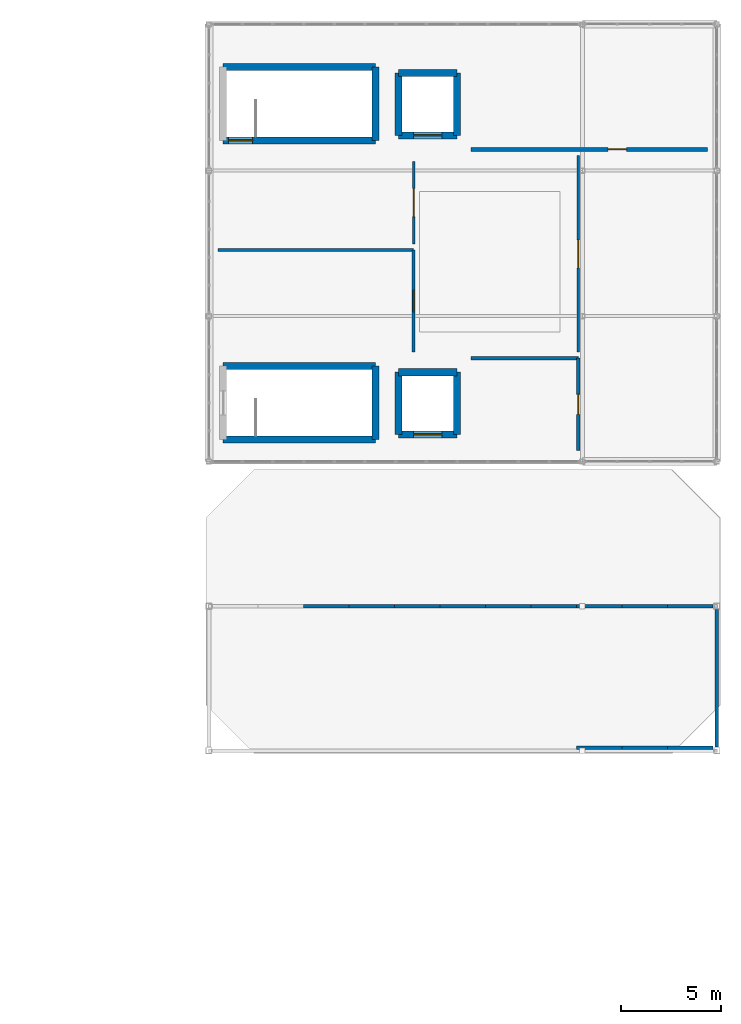
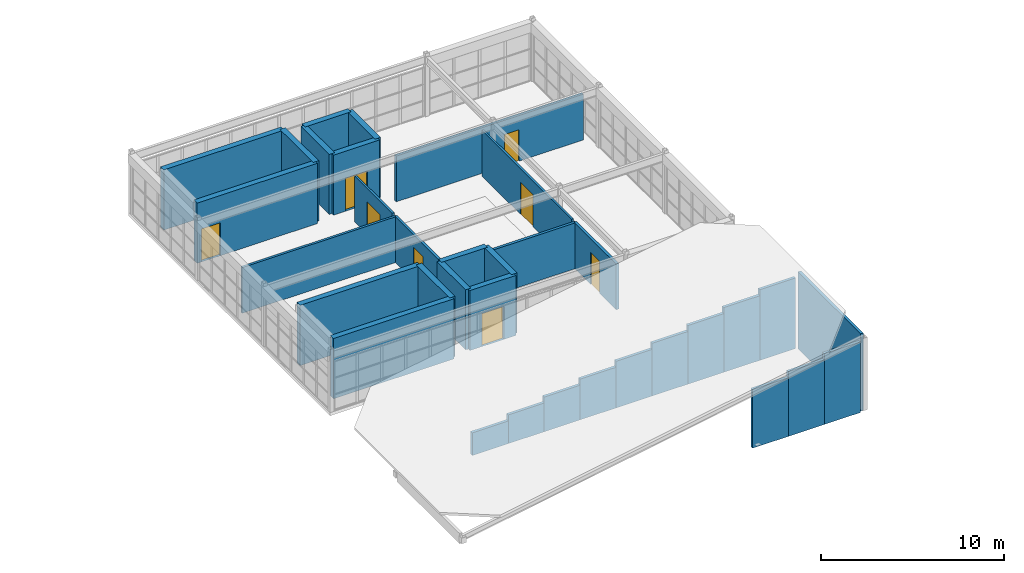
# One storey, part 18 of 19: 34 walls, 8 doors, 8 openings.
"""IFC4 building model written with IfcOpenShell, lengths in metres."""

from ifc_helpers import new_model, si_unit, direction, frame, frame_2d, origin, place, context, subcontext, project, spatial, rectangle, extrude, material, layer, layer_set, type_object, element, fill, save


model = new_model("IFC4")

# Units and contexts
model_context = context("Model", 3, precision=1e-05, world=origin(), true_north=direction((0.0, 1.0)))
body_context = subcontext(model_context, "Body", "Model", "MODEL_VIEW")
ifc_project = project(units=[si_unit("LENGTHUNIT", "METRE"), si_unit("AREAUNIT", "SQUARE_METRE"), si_unit("VOLUMEUNIT", "CUBIC_METRE"), si_unit("PLANEANGLEUNIT", "RADIAN"), si_unit("MASSUNIT", "GRAM", prefix="KILO")], contexts=[model_context])

# Site, building, storey
site_placement = place(None, origin())
site = spatial("IfcSite", under=ifc_project, at=site_placement, CompositionType="ELEMENT")
building_placement = place(site_placement, origin())
building = spatial("IfcBuilding", under=site, at=building_placement, Name="Candilejo Ridge Gondola Terminal", CompositionType="ELEMENT")
storey_placement = place(building_placement, frame((0.0, 0.0, 22.800048828125)))
storey = spatial("IfcBuildingStorey", under=building, at=storey_placement, Name="L05", CompositionType="ELEMENT", Elevation=22.800048828125)

# Walls
ifc_material_1 = material(Name="Concrete f'c 35 MPa (C35/45)", Category="concrete")
ifc_layer_1 = layer(ifc_material_1, 0.179931640625)
ifc_layer_set_1 = layer_set([ifc_layer_1], Name="ARC-PARAPET-WALL-180")
wall_type_1 = type_object("IfcWallType", Name="ARC-PARAPET-WALL-180", PredefinedType="PARAPET", material=ifc_layer_set_1)
wall_1_placement = place(storey_placement, frame((175.300048828125, 84.830078125, -0.2099609375), z_axis=(0.0, 0.0, 1.0), x_axis=(0.0, 1.0, 0.0)))
element("IfcWall", 1, at=wall_1_placement, inside=storey, type_object=wall_type_1, Name="Roof perimeter gable/spandrel wall L05-139", PredefinedType="PARAPET", context=body_context, shape_type="SweptSolid", body=[
    extrude(rectangle(XDim=6.83984375, YDim=0.179931640625, at=frame_2d((3.419921875, 0.0))), origin(), (0.0, 0.0, 1.0), 5.14453125),
])
wall_2_placement = place(storey_placement, frame((168.318115234375, 84.800048828125, -0.2099609375), z_axis=(0.0, 0.0, 1.0), x_axis=(1.0, 0.0, 0.0)))
element("IfcWall", 2, at=wall_2_placement, inside=storey, type_object=wall_type_1, Name="Roof perimeter gable/spandrel wall L05-140", PredefinedType="PARAPET", context=body_context, shape_type="SweptSolid", body=[
    extrude(rectangle(XDim=2.267333984375, YDim=0.179931640625, at=frame_2d((1.1337890625, 0.0))), origin(), (0.0, 0.0, 1.0), 3.91357421875),
])
wall_3_placement = place(storey_placement, frame((170.58544921875, 84.800048828125, -0.2099609375), z_axis=(0.0, 0.0, 1.0), x_axis=(1.0, 0.0, 0.0)))
element("IfcWall", 3, at=wall_3_placement, inside=storey, type_object=wall_type_1, Name="Roof perimeter gable/spandrel wall L05-141", PredefinedType="PARAPET", context=body_context, shape_type="SweptSolid", body=[
    extrude(rectangle(XDim=2.267333984375, YDim=0.179931640625, at=frame_2d((1.1337890625, 0.0))), origin(), (0.0, 0.0, 1.0), 4.313232421875),
])
wall_4_placement = place(storey_placement, frame((172.852783203125, 84.800048828125, -0.2099609375), z_axis=(0.0, 0.0, 1.0), x_axis=(1.0, 0.0, 0.0)))
element("IfcWall", 4, at=wall_4_placement, inside=storey, type_object=wall_type_1, Name="Roof perimeter gable/spandrel wall L05-142", PredefinedType="PARAPET", context=body_context, shape_type="SweptSolid", body=[
    extrude(rectangle(XDim=2.267333984375, YDim=0.179931640625, at=frame_2d((1.1337890625, 0.0))), origin(), (0.0, 0.0, 1.0), 4.713134765625),
])
wall_5_placement = place(storey_placement, frame((154.714599609375, 91.85009765625, -0.2099609375), z_axis=(0.0, 0.0, 1.0), x_axis=(1.0, 0.0, 0.0)))
element("IfcWall", 5, at=wall_5_placement, inside=storey, type_object=wall_type_1, Name="Roof perimeter gable/spandrel wall L05-145", PredefinedType="PARAPET", context=body_context, shape_type="SweptSolid", body=[
    extrude(rectangle(XDim=2.26708984375, YDim=0.179931640625, at=frame_2d((1.133544921875, 0.0))), origin(), (0.0, 0.0, 1.0), 1.514892578125),
])
wall_6_placement = place(storey_placement, frame((156.981689453125, 91.85009765625, -0.2099609375), z_axis=(0.0, 0.0, 1.0), x_axis=(1.0, 0.0, 0.0)))
element("IfcWall", 6, at=wall_6_placement, inside=storey, type_object=wall_type_1, Name="Roof perimeter gable/spandrel wall L05-146", PredefinedType="PARAPET", context=body_context, shape_type="SweptSolid", body=[
    extrude(rectangle(XDim=2.267333984375, YDim=0.179931640625, at=frame_2d((1.1337890625, 0.0))), origin(), (0.0, 0.0, 1.0), 1.914794921875),
])
wall_7_placement = place(storey_placement, frame((159.2490234375, 91.85009765625, -0.2099609375), z_axis=(0.0, 0.0, 1.0), x_axis=(1.0, 0.0, 0.0)))
element("IfcWall", 7, at=wall_7_placement, inside=storey, type_object=wall_type_1, Name="Roof perimeter gable/spandrel wall L05-147", PredefinedType="PARAPET", context=body_context, shape_type="SweptSolid", body=[
    extrude(rectangle(XDim=2.267333984375, YDim=0.179931640625, at=frame_2d((1.1337890625, 0.0))), origin(), (0.0, 0.0, 1.0), 2.314453125),
])
wall_8_placement = place(storey_placement, frame((161.516357421875, 91.85009765625, -0.2099609375), z_axis=(0.0, 0.0, 1.0), x_axis=(1.0, 0.0, 0.0)))
element("IfcWall", 8, at=wall_8_placement, inside=storey, type_object=wall_type_1, Name="Roof perimeter gable/spandrel wall L05-148", PredefinedType="PARAPET", context=body_context, shape_type="SweptSolid", body=[
    extrude(rectangle(XDim=2.267333984375, YDim=0.179931640625, at=frame_2d((1.1337890625, 0.0))), origin(), (0.0, 0.0, 1.0), 2.714111328125),
])
wall_9_placement = place(storey_placement, frame((163.78369140625, 91.85009765625, -0.2099609375), z_axis=(0.0, 0.0, 1.0), x_axis=(1.0, 0.0, 0.0)))
element("IfcWall", 9, at=wall_9_placement, inside=storey, type_object=wall_type_1, Name="Roof perimeter gable/spandrel wall L05-149", PredefinedType="PARAPET", context=body_context, shape_type="SweptSolid", body=[
    extrude(rectangle(XDim=2.26708984375, YDim=0.179931640625, at=frame_2d((1.133544921875, 0.0))), origin(), (0.0, 0.0, 1.0), 3.114013671875),
])
wall_10_placement = place(storey_placement, frame((166.05078125, 91.85009765625, -0.2099609375), z_axis=(0.0, 0.0, 1.0), x_axis=(1.0, 0.0, 0.0)))
element("IfcWall", 10, at=wall_10_placement, inside=storey, type_object=wall_type_1, Name="Roof perimeter gable/spandrel wall L05-150", PredefinedType="PARAPET", context=body_context, shape_type="SweptSolid", body=[
    extrude(rectangle(XDim=2.267333984375, YDim=0.179931640625, at=frame_2d((1.1337890625, 0.0))), origin(), (0.0, 0.0, 1.0), 3.513916015625),
])
wall_11_placement = place(storey_placement, frame((168.318115234375, 91.85009765625, -0.2099609375), z_axis=(0.0, 0.0, 1.0), x_axis=(1.0, 0.0, 0.0)))
element("IfcWall", 11, at=wall_11_placement, inside=storey, type_object=wall_type_1, Name="Roof perimeter gable/spandrel wall L05-151", PredefinedType="PARAPET", context=body_context, shape_type="SweptSolid", body=[
    extrude(rectangle(XDim=2.267333984375, YDim=0.179931640625, at=frame_2d((1.1337890625, 0.0))), origin(), (0.0, 0.0, 1.0), 3.91357421875),
])
wall_12_placement = place(storey_placement, frame((170.58544921875, 91.85009765625, -0.2099609375), z_axis=(0.0, 0.0, 1.0), x_axis=(1.0, 0.0, 0.0)))
element("IfcWall", 12, at=wall_12_placement, inside=storey, type_object=wall_type_1, Name="Roof perimeter gable/spandrel wall L05-152", PredefinedType="PARAPET", context=body_context, shape_type="SweptSolid", body=[
    extrude(rectangle(XDim=2.267333984375, YDim=0.179931640625, at=frame_2d((1.1337890625, 0.0))), origin(), (0.0, 0.0, 1.0), 4.313232421875),
])
wall_13_placement = place(storey_placement, frame((172.852783203125, 91.85009765625, -0.2099609375), z_axis=(0.0, 0.0, 1.0), x_axis=(1.0, 0.0, 0.0)))
element("IfcWall", 13, at=wall_13_placement, inside=storey, type_object=wall_type_1, Name="Roof perimeter gable/spandrel wall L05-153", PredefinedType="PARAPET", context=body_context, shape_type="SweptSolid", body=[
    extrude(rectangle(XDim=2.267333984375, YDim=0.179931640625, at=frame_2d((1.1337890625, 0.0))), origin(), (0.0, 0.0, 1.0), 4.713134765625),
])

# Wall, opening, door
ifc_material_2 = material(Name="Gypsum board Type X acoustic partition (2x15.9 mm)", Category="gypsum")
ifc_layer_2 = layer(ifc_material_2, 0.135009765625)
ifc_layer_set_2 = layer_set([ifc_layer_2], Name="ARC-PART-GYP135")
wall_type_2 = type_object("IfcWallType", Name="ARC-PART-GYP135", PredefinedType="PARTITIONING", material=ifc_layer_set_2)
wall_14_placement = place(storey_placement, frame((168.39990234375, 104.5, 0.0), z_axis=(0.0, 0.0, 1.0), x_axis=(0.0, 1.0, 0.0)))
wall_14 = element("IfcWall", 14, at=wall_14_placement, inside=storey, type_object=wall_type_2, Name="Interior partition PT-V5-L05-0141", PredefinedType="PARTITIONING", context=body_context, shape_type="SweptSolid", body=[
    extrude(rectangle(XDim=9.800048828125, YDim=0.135009765625, at=frame_2d((4.89990234375, 0.0))), origin(), (0.0, 0.0, 1.0), 3.050048828125),
])
opening_1_placement = place(wall_14_placement, frame((4.199951171875, 0.0, 0.0)))
opening_1 = element("IfcOpeningElement", 15, at=opening_1_placement, cuts=wall_14, Name="Opening ID-03C", PredefinedType="OPENING", context=body_context, shape_type="SweptSolid", body=[
    extrude(rectangle(XDim=1.39990234375, YDim=2.14990234375, at=frame_2d((0.699951171875, 1.074951171875))), frame((0.0, 0.077392578125, 0.0), z_axis=(0.0, -1.0, 0.0), x_axis=(1.0, 0.0, 0.0)), (0.0, 0.0, 1.0), 0.155029296875),
])
ifc_material_3 = material(Name="Solid-core fire-rated hardwood door leaf", Category="wood")
door_type_1 = type_object("IfcDoorType", Name="ARC-DOOR-DBL-1400", OperationType="NOTDEFINED", PredefinedType="DOOR", material=ifc_material_3)
door_1_placement = place(opening_1_placement, origin())
door_1 = element("IfcDoor", 16, at=door_1_placement, inside=storey, type_object=door_type_1, Name="Interior door IDR-0078 (502)", OperationType="DOUBLE_DOOR_SINGLE_SWING", OverallHeight=2.14990234375, OverallWidth=1.39990234375, PredefinedType="DOOR", context=body_context, shape_type="SweptSolid", body=[
    extrude(rectangle(XDim=1.39990234375, YDim=2.14990234375, at=frame_2d((0.699951171875, 1.074951171875))), frame((0.0, 0.02490234375, 0.0), z_axis=(0.0, -1.0, 0.0), x_axis=(1.0, 0.0, 0.0)), (0.0, 0.0, 1.0), 0.050048828125),
])
fill(opening_1, door_1)

wall_15_placement = place(storey_placement, frame((160.199951171875, 109.89990234375, 0.0), z_axis=(0.0, 0.0, 1.0), x_axis=(0.0, 1.0, 0.0)))
wall_15 = element("IfcWall", 17, at=wall_15_placement, inside=storey, type_object=wall_type_2, Name="Interior partition PT-V5-L05-0142", PredefinedType="PARTITIONING", context=body_context, shape_type="SweptSolid", body=[
    extrude(rectangle(XDim=4.10009765625, YDim=0.135009765625, at=frame_2d((2.050048828125, 0.0))), origin(), (0.0, 0.0, 1.0), 3.050048828125),
])
opening_2_placement = place(wall_15_placement, frame((1.35009765625, 0.0, 0.0)))
opening_2 = element("IfcOpeningElement", 18, at=opening_2_placement, cuts=wall_15, Name="Opening ID-03C", PredefinedType="OPENING", context=body_context, shape_type="SweptSolid", body=[
    extrude(rectangle(XDim=1.39990234375, YDim=2.14990234375, at=frame_2d((0.699951171875, 1.074951171875))), frame((0.0, 0.077392578125, 0.0), z_axis=(0.0, -1.0, 0.0), x_axis=(1.0, 0.0, 0.0)), (0.0, 0.0, 1.0), 0.155029296875),
])
door_2_placement = place(opening_2_placement, origin())
door_2 = element("IfcDoor", 19, at=door_2_placement, inside=storey, type_object=door_type_1, Name="Interior door IDR-0079 (503)", OperationType="DOUBLE_DOOR_SINGLE_SWING", OverallHeight=2.14990234375, OverallWidth=1.39990234375, PredefinedType="DOOR", context=body_context, shape_type="SweptSolid", body=[
    extrude(rectangle(XDim=1.39990234375, YDim=2.14990234375, at=frame_2d((0.699951171875, 1.074951171875))), frame((0.0, 0.02490234375, 0.0), z_axis=(0.0, -1.0, 0.0), x_axis=(1.0, 0.0, 0.0)), (0.0, 0.0, 1.0), 0.050048828125),
])
fill(opening_2, door_2)

ifc_material_4 = material(Name="Gypsum board Type X acoustic partition (2x15.9 mm)", Category="gypsum")
ifc_layer_3 = layer(ifc_material_4, 0.14990234375)
ifc_layer_set_3 = layer_set([ifc_layer_3], Name="ARC-PART-GYP150-EI60")
wall_type_3 = type_object("IfcWallType", Name="ARC-PART-GYP150-EI60", PredefinedType="PARTITIONING", material=ifc_layer_set_3)
wall_16_placement = place(storey_placement, frame((160.199951171875, 104.5, 0.0), z_axis=(0.0, 0.0, 1.0), x_axis=(0.0, 1.0, 0.0)))
wall_16 = element("IfcWall", 20, at=wall_16_placement, inside=storey, type_object=wall_type_3, Name="Interior partition PT-V5-L05-0139", PredefinedType="PARTITIONING", context=body_context, shape_type="SweptSolid", body=[
    extrude(rectangle(XDim=5.10009765625, YDim=0.14990234375, at=frame_2d((2.550048828125, 0.0))), origin(), (0.0, 0.0, 1.0), 3.050048828125),
])
opening_3_placement = place(wall_16_placement, frame((2.02490234375, 0.0, 0.0)))
opening_3 = element("IfcOpeningElement", 21, at=opening_3_placement, cuts=wall_16, Name="Opening ID-01A", PredefinedType="OPENING", context=body_context, shape_type="SweptSolid", body=[
    extrude(rectangle(XDim=1.050048828125, YDim=2.199951171875, at=frame_2d((0.52490234375, 1.10009765625))), frame((0.0, 0.0849609375, 0.0), z_axis=(0.0, -1.0, 0.0), x_axis=(1.0, 0.0, 0.0)), (0.0, 0.0, 1.0), 0.169921875),
])
ifc_material_5 = material(Name="Solid-core fire-rated hardwood door leaf", Category="wood")
door_type_2 = type_object("IfcDoorType", Name="ARC-DOOR-INT-1050", OperationType="NOTDEFINED", PredefinedType="DOOR", material=ifc_material_5)
door_3_placement = place(opening_3_placement, origin())
door_3 = element("IfcDoor", 22, at=door_3_placement, inside=storey, type_object=door_type_2, Name="Interior door IDR-0077 (501)", OperationType="SINGLE_SWING_LEFT", OverallHeight=2.199951171875, OverallWidth=1.050048828125, PredefinedType="DOOR", context=body_context, shape_type="SweptSolid", body=[
    extrude(rectangle(XDim=1.050048828125, YDim=2.199951171875, at=frame_2d((0.52490234375, 1.10009765625))), frame((0.0, 0.02490234375, 0.0), z_axis=(0.0, -1.0, 0.0), x_axis=(1.0, 0.0, 0.0)), (0.0, 0.0, 1.0), 0.050048828125),
])
fill(opening_3, door_3)

# Wall
wall_17_placement = place(storey_placement, frame((150.449951171875, 109.60009765625, 0.0), z_axis=(0.0, 0.0, 1.0), x_axis=(1.0, 0.0, 0.0)))
element("IfcWall", 23, at=wall_17_placement, inside=storey, type_object=wall_type_3, Name="Interior partition PT-V5-L05-0140", PredefinedType="PARTITIONING", context=body_context, shape_type="SweptSolid", body=[
    extrude(rectangle(XDim=9.75, YDim=0.14990234375, at=frame_2d((4.875, 0.0))), origin(), (0.0, 0.0, 1.0), 3.050048828125),
])

# Wall, opening, door
ifc_material_6 = material(Name="Concrete C20/25 masonry blockwork (f'm 14 MPa)", Category="masonry")
ifc_layer_4 = layer(ifc_material_6, 0.169921875)
ifc_layer_set_4 = layer_set([ifc_layer_4], Name="ARC-WALL-CMU170-EI90")
wall_type_4 = type_object("IfcWallType", Name="ARC-WALL-CMU170-EI90", PredefinedType="SOLIDWALL", material=ifc_layer_set_4)
wall_18_placement = place(storey_placement, frame((168.39990234375, 99.60009765625, 0.0), z_axis=(0.0, 0.0, 1.0), x_axis=(0.0, 1.0, 0.0)))
wall_18 = element("IfcWall", 24, at=wall_18_placement, inside=storey, type_object=wall_type_4, Name="Interior partition PT-V5-L05-0143", PredefinedType="SOLIDWALL", context=body_context, shape_type="SweptSolid", body=[
    extrude(rectangle(XDim=4.599853515625, YDim=0.169921875, at=frame_2d((2.2998046875, 0.0))), origin(), (0.0, 0.0, 1.0), 3.050048828125),
])
opening_4_placement = place(wall_18_placement, frame((1.800048828125, 0.0, 0.0)))
opening_4 = element("IfcOpeningElement", 25, at=opening_4_placement, cuts=wall_18, Name="Opening FD-02", PredefinedType="OPENING", context=body_context, shape_type="SweptSolid", body=[
    extrude(rectangle(XDim=1.0, YDim=2.14990234375, at=frame_2d((0.5, 1.074951171875))), frame((0.0, 0.094970703125, 0.0), z_axis=(0.0, -1.0, 0.0), x_axis=(1.0, 0.0, 0.0)), (0.0, 0.0, 1.0), 0.18994140625),
])
ifc_material_7 = material(Name="Steel ASTM A653 Grade 33 hollow-metal door", Category="steel")
door_type_3 = type_object("IfcDoorType", Name="ARC-DOOR-FD60-1000", OperationType="NOTDEFINED", PredefinedType="DOOR", material=ifc_material_7)
door_4_placement = place(opening_4_placement, origin())
door_4 = element("IfcDoor", 26, at=door_4_placement, inside=storey, type_object=door_type_3, Name="Interior door IDR-0080 (505)", OperationType="SINGLE_SWING_RIGHT", OverallHeight=2.14990234375, OverallWidth=1.0, PredefinedType="DOOR", context=body_context, shape_type="SweptSolid", body=[
    extrude(rectangle(XDim=1.0, YDim=2.14990234375, at=frame_2d((0.5, 1.074951171875))), frame((0.0, 0.02490234375, 0.0), z_axis=(0.0, -1.0, 0.0), x_axis=(1.0, 0.0, 0.0)), (0.0, 0.0, 1.0), 0.050048828125),
])
fill(opening_4, door_4)

# Wall
wall_19_placement = place(storey_placement, frame((163.050048828125, 104.199951171875, 0.0), z_axis=(0.0, 0.0, 1.0), x_axis=(1.0, 0.0, 0.0)))
element("IfcWall", 27, at=wall_19_placement, inside=storey, type_object=wall_type_4, Name="Interior partition PT-V5-L05-0144", PredefinedType="SOLIDWALL", context=body_context, shape_type="SweptSolid", body=[
    extrude(rectangle(XDim=5.349853515625, YDim=0.169921875, at=frame_2d((2.6748046875, 0.0))), origin(), (0.0, 0.0, 1.0), 3.050048828125),
])

# Wall, opening, door
ifc_material_8 = material(Name="Concrete C20/25 masonry blockwork (f'm 14 MPa)", Category="masonry")
ifc_layer_5 = layer(ifc_material_8, 0.179931640625)
ifc_layer_set_5 = layer_set([ifc_layer_5], Name="ARC-WALL-PLUMBING-180")
wall_type_5 = type_object("IfcWallType", Name="ARC-WALL-PLUMBING-180", PredefinedType="PLUMBINGWALL", material=ifc_layer_set_5)
wall_20_placement = place(storey_placement, frame((163.050048828125, 114.60009765625, 0.0), z_axis=(0.0, 0.0, 1.0), x_axis=(1.0, 0.0, 0.0)))
wall_20 = element("IfcWall", 28, at=wall_20_placement, inside=storey, type_object=wall_type_5, Name="Interior partition PT-V5-L05-0145", PredefinedType="PLUMBINGWALL", context=body_context, shape_type="SweptSolid", body=[
    extrude(rectangle(XDim=11.800048828125, YDim=0.179931640625, at=frame_2d((5.89990234375, 0.0))), origin(), (0.0, 0.0, 1.0), 3.050048828125),
])
opening_5_placement = place(wall_20_placement, frame((6.840087890625, 0.0, 0.0)))
opening_5 = element("IfcOpeningElement", 29, at=opening_5_placement, cuts=wall_20, Name="Opening ID-04A", PredefinedType="OPENING", context=body_context, shape_type="SweptSolid", body=[
    extrude(rectangle(XDim=0.919921875, YDim=2.10009765625, at=frame_2d((0.4599609375, 1.050048828125))), frame((0.0, 0.099853515625, 0.0), z_axis=(0.0, -1.0, 0.0), x_axis=(1.0, 0.0, 0.0)), (0.0, 0.0, 1.0), 0.199951171875),
])
ifc_material_9 = material(Name="Solid-core fire-rated hardwood door leaf", Category="wood")
door_type_4 = type_object("IfcDoorType", Name="ARC-DOOR-WC-0920", OperationType="NOTDEFINED", PredefinedType="DOOR", material=ifc_material_9)
door_5_placement = place(opening_5_placement, origin())
door_5 = element("IfcDoor", 30, at=door_5_placement, inside=storey, type_object=door_type_4, Name="Interior door IDR-0081 (506)", OperationType="SINGLE_SWING_LEFT", OverallHeight=2.10009765625, OverallWidth=0.919921875, PredefinedType="DOOR", context=body_context, shape_type="SweptSolid", body=[
    extrude(rectangle(XDim=0.919921875, YDim=2.10009765625, at=frame_2d((0.4599609375, 1.050048828125))), frame((0.0, 0.02490234375, 0.0), z_axis=(0.0, -1.0, 0.0), x_axis=(1.0, 0.0, 0.0)), (0.0, 0.0, 1.0), 0.050048828125),
])
fill(opening_5, door_5)

# Walls
ifc_material_10 = material(Name="Concrete f'c 35 MPa (C35/45)", Category="concrete")
ifc_layer_6 = layer(ifc_material_10, 0.35009765625)
ifc_layer_set_6 = layer_set([ifc_layer_6], Name="STR-CORE-WALL-350")
wall_type_6 = type_object("IfcWallType", Name="STR-CORE-WALL-350", PredefinedType="SHEAR", material=ifc_layer_set_6)
for number, where, z_axis, x_axis, name in (
    (31, (150.699951171875, 100.14990234375, 0.0), (0.0, 0.0, 1.0), (1.0, 0.0, 0.0), "Core stair shear wall SW-C-V5A-L05-ST-S"),
    (32, (158.300048828125, 103.800048828125, 0.0), (0.0, 0.0, 1.0), (-1.0, 0.0, 0.0), "Core stair shear wall SW-C-V5A-L05-ST-N"),
):
    element("IfcWall", number, at=place(storey_placement, frame(where, z_axis=z_axis, x_axis=x_axis)), inside=storey, type_object=wall_type_6, Name=name, PredefinedType="SHEAR", context=body_context, shape_type="SweptSolid", body=[
        extrude(rectangle(XDim=7.60009765625, YDim=0.35009765625, at=frame_2d((3.800048828125, 0.0))), origin(), (0.0, 0.0, 1.0), 4.02001953125),
    ])
wall_21_placement = place(storey_placement, frame((158.300048828125, 100.14990234375, 0.0), z_axis=(0.0, 0.0, 1.0), x_axis=(0.0, 1.0, 0.0)))
element("IfcWall", 33, at=wall_21_placement, inside=storey, type_object=wall_type_6, Name="Core stair shear wall SW-C-V5A-L05-ST-E", PredefinedType="SHEAR", context=body_context, shape_type="SweptSolid", body=[
    extrude(rectangle(XDim=3.650146484375, YDim=0.35009765625, at=frame_2d((1.8251953125, 0.0))), origin(), (0.0, 0.0, 1.0), 4.02001953125),
])

# Wall, opening, door
wall_22_placement = place(storey_placement, frame((159.449951171875, 100.39990234375, 0.0), z_axis=(0.0, 0.0, 1.0), x_axis=(1.0, 0.0, 0.0)))
wall_22 = element("IfcWall", 34, at=wall_22_placement, inside=storey, type_object=wall_type_6, Name="Lift shaft shear wall SW-C-V5A-L05-LF-S", PredefinedType="SHEAR", context=body_context, shape_type="SweptSolid", body=[
    extrude(rectangle(XDim=2.900146484375, YDim=0.35009765625, at=frame_2d((1.4501953125, 0.0))), origin(), (0.0, 0.0, 1.0), 4.0048828125),
])
opening_6_placement = place(wall_22_placement, frame((0.75, 0.0, 0.0)))
opening_6 = element("IfcOpeningElement", 35, at=opening_6_placement, cuts=wall_22, Name="Opening LD-02", PredefinedType="OPENING", context=body_context, shape_type="SweptSolid", body=[
    extrude(rectangle(XDim=1.39990234375, YDim=2.199951171875, at=frame_2d((0.699951171875, 1.10009765625))), frame((0.0, 0.18505859375, 0.0), z_axis=(0.0, -1.0, 0.0), x_axis=(1.0, 0.0, 0.0)), (0.0, 0.0, 1.0), 0.3701171875),
])
ifc_material_11 = material(Name="Brushed stainless steel AISI 316", Category="steel")
door_type_5 = type_object("IfcDoorType", Name="ARC-LIFT-DOOR-1400", OperationType="NOTDEFINED", PredefinedType="DOOR", material=ifc_material_11)
door_6_placement = place(opening_6_placement, origin())
door_6 = element("IfcDoor", 36, at=door_6_placement, inside=storey, type_object=door_type_5, Name="Elevator landing door LDR-037", OperationType="SLIDING_TO_LEFT", OverallHeight=2.199951171875, OverallWidth=1.39990234375, PredefinedType="DOOR", context=body_context, shape_type="SweptSolid", body=[
    extrude(rectangle(XDim=1.39990234375, YDim=2.199951171875, at=frame_2d((0.699951171875, 1.10009765625))), frame((0.0, 0.02490234375, 0.0), z_axis=(0.0, -1.0, 0.0), x_axis=(1.0, 0.0, 0.0)), (0.0, 0.0, 1.0), 0.050048828125),
])
fill(opening_6, door_6)

# Walls
wall_23_placement = place(storey_placement, frame((159.449951171875, 103.5, 0.0), z_axis=(0.0, 0.0, 1.0), x_axis=(1.0, 0.0, 0.0)))
element("IfcWall", 37, at=wall_23_placement, inside=storey, type_object=wall_type_6, Name="Lift shaft shear wall SW-C-V5A-L05-LF-N", PredefinedType="SHEAR", context=body_context, shape_type="SweptSolid", body=[
    extrude(rectangle(XDim=2.900146484375, YDim=0.35009765625, at=frame_2d((1.4501953125, 0.0))), origin(), (0.0, 0.0, 1.0), 4.0048828125),
])
for number, where, z_axis, x_axis, name in (
    (38, (159.449951171875, 100.39990234375, 0.0), (0.0, 0.0, 1.0), (0.0, 1.0, 0.0), "Lift shaft shear wall SW-C-V5A-L05-LF-W"),
    (39, (162.35009765625, 100.39990234375, 0.0), (0.0, 0.0, 1.0), (0.0, 1.0, 0.0), "Lift shaft shear wall SW-C-V5A-L05-LF-E"),
):
    element("IfcWall", number, at=place(storey_placement, frame(where, z_axis=z_axis, x_axis=x_axis)), inside=storey, type_object=wall_type_6, Name=name, PredefinedType="SHEAR", context=body_context, shape_type="SweptSolid", body=[
        extrude(rectangle(XDim=3.10009765625, YDim=0.35009765625, at=frame_2d((1.550048828125, 0.0))), origin(), (0.0, 0.0, 1.0), 4.0048828125),
    ])

# Wall, opening, door
wall_24_placement = place(storey_placement, frame((150.699951171875, 115.050048828125, 0.0), z_axis=(0.0, 0.0, 1.0), x_axis=(1.0, 0.0, 0.0)))
wall_24 = element("IfcWall", 40, at=wall_24_placement, inside=storey, type_object=wall_type_6, Name="Core stair shear wall SW-C-V5B-L05-ST-S", PredefinedType="SHEAR", context=body_context, shape_type="SweptSolid", body=[
    extrude(rectangle(XDim=7.60009765625, YDim=0.35009765625, at=frame_2d((3.800048828125, 0.0))), origin(), (0.0, 0.0, 1.0), 4.02001953125),
])
opening_7_placement = place(wall_24_placement, frame((0.280029296875, 0.0, 0.0)))
opening_7 = element("IfcOpeningElement", 41, at=opening_7_placement, cuts=wall_24, Name="Opening FD-01", PredefinedType="OPENING", context=body_context, shape_type="SweptSolid", body=[
    extrude(rectangle(XDim=1.199951171875, YDim=2.199951171875, at=frame_2d((0.60009765625, 1.10009765625))), frame((0.0, 0.18505859375, 0.0), z_axis=(0.0, -1.0, 0.0), x_axis=(1.0, 0.0, 0.0)), (0.0, 0.0, 1.0), 0.3701171875),
])
ifc_material_12 = material(Name="Steel ASTM A653 Grade 33 hollow-metal door", Category="steel")
door_type_6 = type_object("IfcDoorType", Name="ARC-DOOR-FD90-1200", OperationType="NOTDEFINED", PredefinedType="DOOR", material=ifc_material_12)
door_7_placement = place(opening_7_placement, origin())
door_7 = element("IfcDoor", 42, at=door_7_placement, inside=storey, type_object=door_type_6, Name="Fire stair door SDR-042", OperationType="SINGLE_SWING_RIGHT", OverallHeight=2.199951171875, OverallWidth=1.199951171875, PredefinedType="DOOR", context=body_context, shape_type="SweptSolid", body=[
    extrude(rectangle(XDim=1.199951171875, YDim=2.199951171875, at=frame_2d((0.60009765625, 1.10009765625))), frame((0.0, 0.02490234375, 0.0), z_axis=(0.0, -1.0, 0.0), x_axis=(1.0, 0.0, 0.0)), (0.0, 0.0, 1.0), 0.050048828125),
])
fill(opening_7, door_7)

# Walls
wall_25_placement = place(storey_placement, frame((158.300048828125, 118.699951171875, 0.0), z_axis=(0.0, 0.0, 1.0), x_axis=(-1.0, 0.0, 0.0)))
element("IfcWall", 43, at=wall_25_placement, inside=storey, type_object=wall_type_6, Name="Core stair shear wall SW-C-V5B-L05-ST-N", PredefinedType="SHEAR", context=body_context, shape_type="SweptSolid", body=[
    extrude(rectangle(XDim=7.60009765625, YDim=0.35009765625, at=frame_2d((3.800048828125, 0.0))), origin(), (0.0, 0.0, 1.0), 4.02001953125),
])
wall_26_placement = place(storey_placement, frame((158.300048828125, 115.050048828125, 0.0), z_axis=(0.0, 0.0, 1.0), x_axis=(0.0, 1.0, 0.0)))
element("IfcWall", 44, at=wall_26_placement, inside=storey, type_object=wall_type_6, Name="Core stair shear wall SW-C-V5B-L05-ST-E", PredefinedType="SHEAR", context=body_context, shape_type="SweptSolid", body=[
    extrude(rectangle(XDim=3.64990234375, YDim=0.35009765625, at=frame_2d((1.824951171875, 0.0))), origin(), (0.0, 0.0, 1.0), 4.02001953125),
])

# Wall, opening, door
wall_27_placement = place(storey_placement, frame((159.449951171875, 115.300048828125, 0.0), z_axis=(0.0, 0.0, 1.0), x_axis=(1.0, 0.0, 0.0)))
wall_27 = element("IfcWall", 45, at=wall_27_placement, inside=storey, type_object=wall_type_6, Name="Lift shaft shear wall SW-C-V5B-L05-LF-S", PredefinedType="SHEAR", context=body_context, shape_type="SweptSolid", body=[
    extrude(rectangle(XDim=2.900146484375, YDim=0.35009765625, at=frame_2d((1.4501953125, 0.0))), origin(), (0.0, 0.0, 1.0), 4.0048828125),
])
opening_8_placement = place(wall_27_placement, frame((0.75, 0.0, 0.0)))
opening_8 = element("IfcOpeningElement", 46, at=opening_8_placement, cuts=wall_27, Name="Opening LD-02", PredefinedType="OPENING", context=body_context, shape_type="SweptSolid", body=[
    extrude(rectangle(XDim=1.39990234375, YDim=2.199951171875, at=frame_2d((0.699951171875, 1.10009765625))), frame((0.0, 0.18505859375, 0.0), z_axis=(0.0, -1.0, 0.0), x_axis=(1.0, 0.0, 0.0)), (0.0, 0.0, 1.0), 0.3701171875),
])
door_8_placement = place(opening_8_placement, origin())
door_8 = element("IfcDoor", 47, at=door_8_placement, inside=storey, type_object=door_type_5, Name="Elevator landing door LDR-042", OperationType="SLIDING_TO_LEFT", OverallHeight=2.199951171875, OverallWidth=1.39990234375, PredefinedType="DOOR", context=body_context, shape_type="SweptSolid", body=[
    extrude(rectangle(XDim=1.39990234375, YDim=2.199951171875, at=frame_2d((0.699951171875, 1.10009765625))), frame((0.0, 0.02490234375, 0.0), z_axis=(0.0, -1.0, 0.0), x_axis=(1.0, 0.0, 0.0)), (0.0, 0.0, 1.0), 0.050048828125),
])
fill(opening_8, door_8)

# Walls
wall_28_placement = place(storey_placement, frame((159.449951171875, 118.39990234375, 0.0), z_axis=(0.0, 0.0, 1.0), x_axis=(1.0, 0.0, 0.0)))
element("IfcWall", 48, at=wall_28_placement, inside=storey, type_object=wall_type_6, Name="Lift shaft shear wall SW-C-V5B-L05-LF-N", PredefinedType="SHEAR", context=body_context, shape_type="SweptSolid", body=[
    extrude(rectangle(XDim=2.900146484375, YDim=0.35009765625, at=frame_2d((1.4501953125, 0.0))), origin(), (0.0, 0.0, 1.0), 4.0048828125),
])
for number, where, z_axis, x_axis, name in (
    (49, (159.449951171875, 115.300048828125, 0.0), (0.0, 0.0, 1.0), (0.0, 1.0, 0.0), "Lift shaft shear wall SW-C-V5B-L05-LF-W"),
    (50, (162.35009765625, 115.300048828125, 0.0), (0.0, 0.0, 1.0), (0.0, 1.0, 0.0), "Lift shaft shear wall SW-C-V5B-L05-LF-E"),
):
    element("IfcWall", number, at=place(storey_placement, frame(where, z_axis=z_axis, x_axis=x_axis)), inside=storey, type_object=wall_type_6, Name=name, PredefinedType="SHEAR", context=body_context, shape_type="SweptSolid", body=[
        extrude(rectangle(XDim=3.099853515625, YDim=0.35009765625, at=frame_2d((1.5498046875, 0.0))), origin(), (0.0, 0.0, 1.0), 4.0048828125),
    ])

save(model, "model.ifc")
